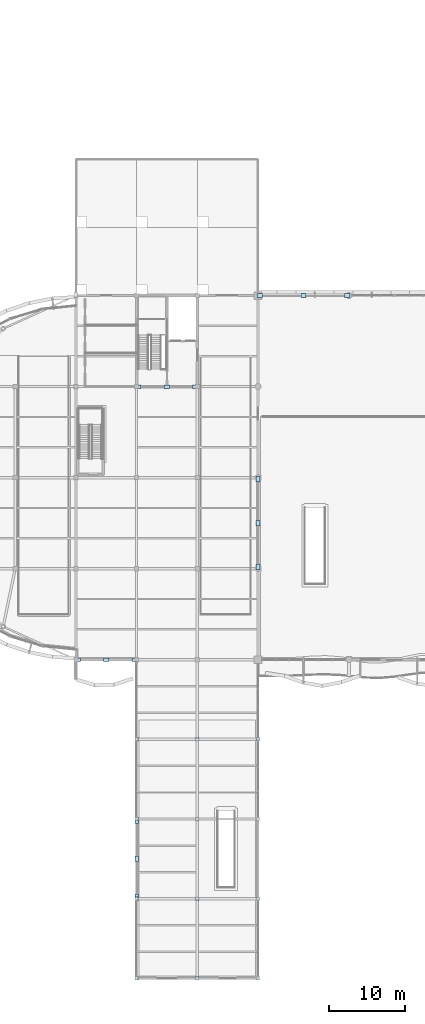
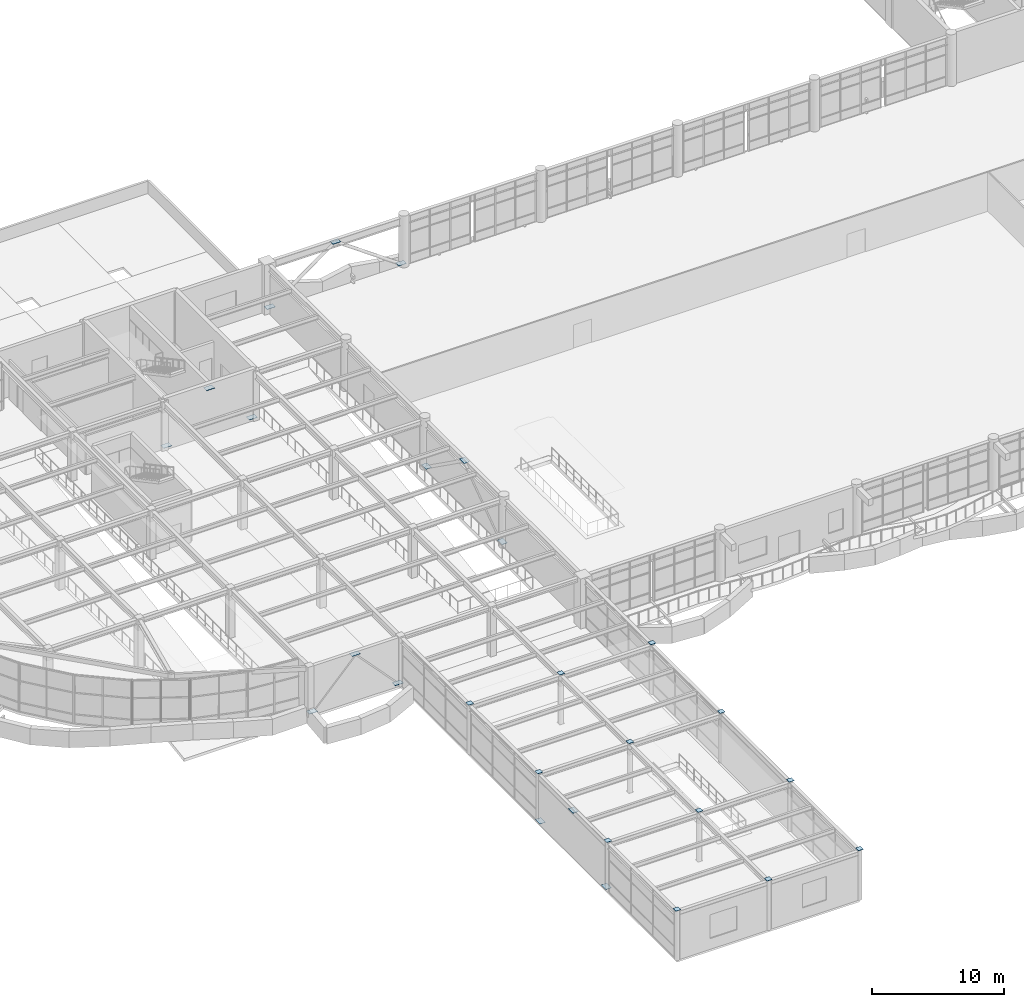
# One storey, part 45 of 72: 27 plates.
"""IFC4 building model written with IfcOpenShell, lengths in metres."""

from ifc_helpers import new_model, si_unit, direction, frame, origin, origin_2d, place, context, subcontext, project, spatial, rectangle, extrude, material, layer, layer_set, type_object, element, save


model = new_model("IFC4")

# Units and contexts
model_context = context("Model", 3, precision=1e-05, world=origin(), true_north=direction((0.0, 1.0)))
body_context = subcontext(model_context, "Body", "Model", "MODEL_VIEW")
ifc_project = project(units=[si_unit("LENGTHUNIT", "METRE"), si_unit("AREAUNIT", "SQUARE_METRE"), si_unit("VOLUMEUNIT", "CUBIC_METRE"), si_unit("PLANEANGLEUNIT", "RADIAN"), si_unit("MASSUNIT", "GRAM", prefix="KILO")], contexts=[model_context])

# Site, building, storey
site_placement = place(None, origin())
site = spatial("IfcSite", under=ifc_project, at=site_placement, CompositionType="ELEMENT")
building_placement = place(site_placement, origin())
building = spatial("IfcBuilding", under=site, at=building_placement, Name="Keelwater Ferry Terminal", CompositionType="ELEMENT")
storey_placement = place(building_placement, frame((0.0, 0.0, 5.39990234375)))
storey = spatial("IfcBuildingStorey", under=building, at=storey_placement, Name="L01", CompositionType="ELEMENT", Elevation=5.39990234375)

# Plates
ifc_material_1 = material(Name="Steel S355", Category="steel")
ifc_layer_1 = layer(ifc_material_1, 0.02490234375)
ifc_layer_set_1 = layer_set([ifc_layer_1], Name="Steel S355")
plate_type_1 = type_object("IfcPlateType", Name="CP3 440x440x25", PredefinedType="USERDEFINED", material=ifc_layer_set_1)
for number, where, z_axis, x_axis, name in (
    (1, (32.0, 0.0, 4.6396484375), (0.0, 0.0, 1.0), (1.0, 0.0, 0.0), "Column Top Cap Plate 33"),
    (2, (32.0, 10.5, 4.6396484375), (0.0, 0.0, 1.0), (1.0, 0.0, 0.0), "Column Top Cap Plate 35"),
    (3, (32.0, 21.0, 4.6396484375), (0.0, 0.0, 1.0), (1.0, 0.0, 0.0), "Column Top Cap Plate 37"),
    (4, (32.0, 31.5, 4.6396484375), (0.0, 0.0, 1.0), (1.0, 0.0, 0.0), "Column Top Cap Plate 39"),
    (5, (40.0, 0.0, 4.6396484375), (0.0, 0.0, 1.0), (1.0, 0.0, 0.0), "Column Top Cap Plate 41"),
    (6, (40.0, 10.5, 4.6396484375), (0.0, 0.0, 1.0), (1.0, 0.0, 0.0), "Column Top Cap Plate 43"),
    (7, (40.0, 21.0, 4.6396484375), (0.0, 0.0, 1.0), (1.0, 0.0, 0.0), "Column Top Cap Plate 45"),
    (8, (40.0, 31.5, 4.6396484375), (0.0, 0.0, 1.0), (1.0, 0.0, 0.0), "Column Top Cap Plate 47"),
    (9, (48.0, 0.0, 4.6396484375), (0.0, 0.0, 1.0), (1.0, 0.0, 0.0), "Column Top Cap Plate 49"),
    (10, (48.0, 10.5, 4.6396484375), (0.0, 0.0, 1.0), (1.0, 0.0, 0.0), "Column Top Cap Plate 51"),
    (11, (48.0, 21.0, 4.6396484375), (0.0, 0.0, 1.0), (1.0, 0.0, 0.0), "Column Top Cap Plate 53"),
    (12, (48.0, 31.5, 4.6396484375), (0.0, 0.0, 1.0), (1.0, 0.0, 0.0), "Column Top Cap Plate 55"),
):
    element("IfcPlate", number, at=place(storey_placement, frame(where, z_axis=z_axis, x_axis=x_axis)), inside=storey, type_object=plate_type_1, Name=name, ObjectType="GUSSET PLATE", PredefinedType="USERDEFINED", context=body_context, shape_type="SweptSolid", body=[
        extrude(rectangle(XDim=0.43994140625, YDim=0.43994140625, at=origin_2d()), origin(), (0.0, 0.0, 1.0), 0.02490234375),
    ])
ifc_material_2 = material(Name="Steel S355", Category="steel")
ifc_layer_2 = layer(ifc_material_2, 0.02490234375)
ifc_layer_set_2 = layer_set([ifc_layer_2], Name="Steel S355")
plate_type_2 = type_object("IfcPlateType", Name="GP3 720x480x25", PredefinedType="USERDEFINED", material=ifc_layer_set_2)
for number, where, z_axis, x_axis, name in (
    (13, (28.0, 42.0, 4.257568359375), (0.0, 0.0, 1.0), (1.0, 0.0, 0.0), "Connection Gusset Plate 48"),
    (14, (24.239990234375, 42.0, 0.2275390625), (0.0, 0.0, 1.0), (1.0, 0.0, 0.0), "Connection Gusset Plate 49"),
    (15, (31.760009765625, 42.0, 0.2275390625), (0.0, 0.0, 1.0), (1.0, 0.0, 0.0), "Connection Gusset Plate 50"),
    (16, (36.0, 78.0, 4.257568359375), (0.0, 0.0, 1.0), (1.0, 0.0, 0.0), "Connection Gusset Plate 57"),
    (17, (32.239990234375, 78.0, 0.2275390625), (0.0, 0.0, 1.0), (1.0, 0.0, 0.0), "Connection Gusset Plate 58"),
    (18, (39.760009765625, 78.0, 0.2275390625), (0.0, 0.0, 1.0), (1.0, 0.0, 0.0), "Connection Gusset Plate 59"),
    (19, (54.0, 90.0, 4.257568359375), (0.0, 0.0, 1.0), (1.0, 0.0, 0.0), "Connection Gusset Plate 66"),
    (20, (48.239990234375, 90.0, 0.2275390625), (0.0, 0.0, 1.0), (1.0, 0.0, 0.0), "Connection Gusset Plate 67"),
    (21, (59.760009765625, 90.0, 0.2275390625), (0.0, 0.0, 1.0), (1.0, 0.0, 0.0), "Connection Gusset Plate 68"),
    (22, (48.0, 60.0, 4.257568359375), (0.0, 0.0, 1.0), (0.0, 1.0, 0.0), "Connection Gusset Plate 75"),
    (23, (48.0, 54.239990234375, 0.2275390625), (0.0, 0.0, 1.0), (0.0, 1.0, 0.0), "Connection Gusset Plate 76"),
    (24, (48.0, 65.760009765625, 0.2275390625), (0.0, 0.0, 1.0), (0.0, 1.0, 0.0), "Connection Gusset Plate 77"),
    (25, (32.0, 15.75, 4.257568359375), (0.0, 0.0, 1.0), (0.0, 1.0, 0.0), "Connection Gusset Plate 135"),
    (26, (32.0, 10.739990234375, 0.2275390625), (0.0, 0.0, 1.0), (0.0, 1.0, 0.0), "Connection Gusset Plate 136"),
    (27, (32.0, 20.760009765625, 0.2275390625), (0.0, 0.0, 1.0), (0.0, 1.0, 0.0), "Connection Gusset Plate 137"),
):
    element("IfcPlate", number, at=place(storey_placement, frame(where, z_axis=z_axis, x_axis=x_axis)), inside=storey, type_object=plate_type_2, Name=name, ObjectType="GUSSET PLATE", PredefinedType="USERDEFINED", context=body_context, shape_type="SweptSolid", body=[
        extrude(rectangle(XDim=0.719970703125, YDim=0.47998046875, at=origin_2d()), origin(), (0.0, 0.0, 1.0), 0.02490234375),
    ])

save(model, "model.ifc")
